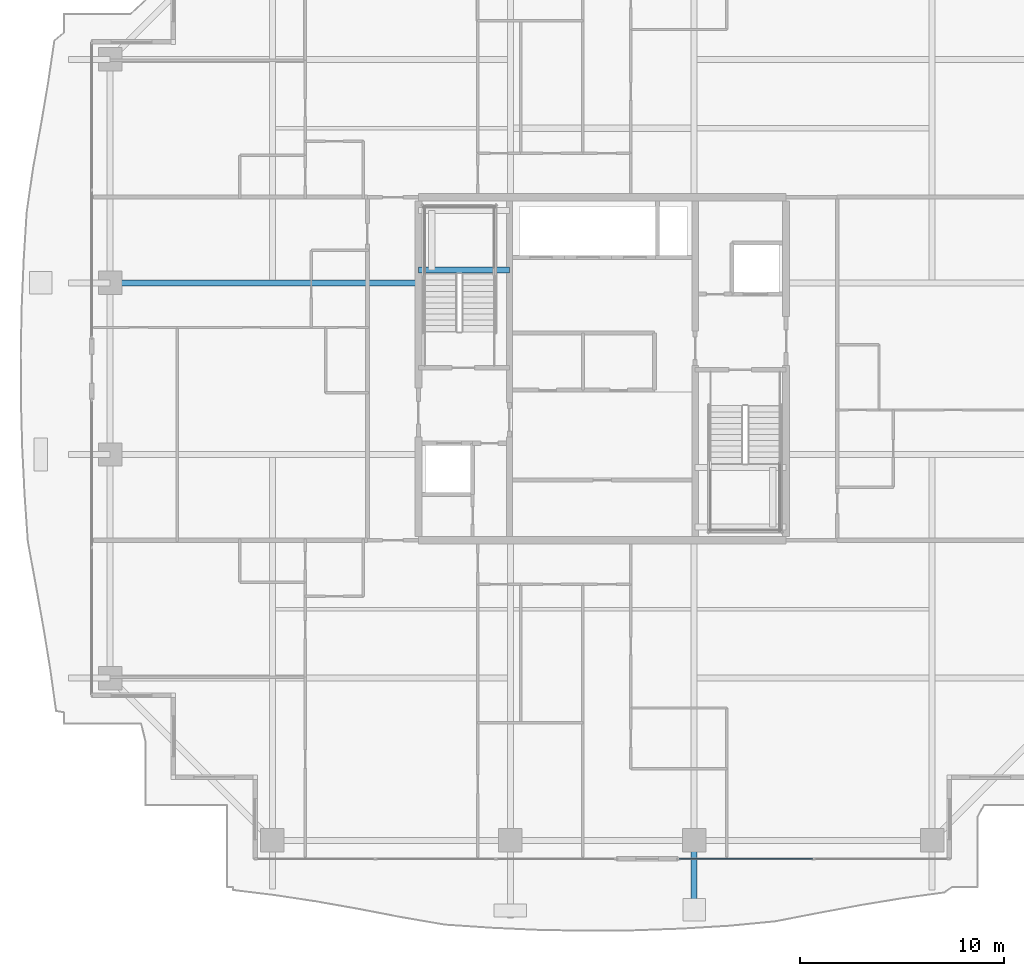
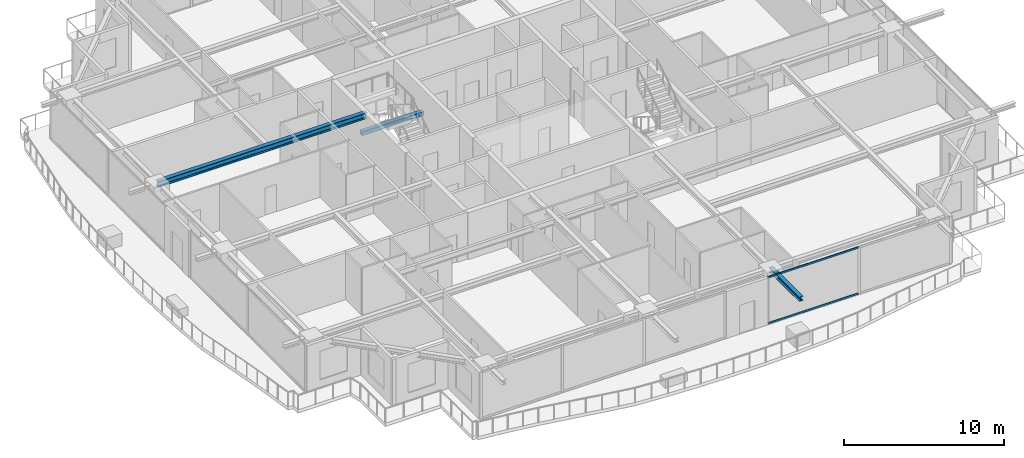
# One storey, part 11 of 36: 3 beams, 2 members, 1 element without a shape of its own.
"""IFC4 building model written with IfcOpenShell, lengths in metres."""

from ifc_helpers import new_model, si_unit, direction, frame, origin, origin_2d, place, context, subcontext, project, spatial, rectangle, hollow_rectangle, i_section, extrude, source, transform, mapped, material, layer, layer_set, material_profile, profile_set, type_object, element, aggregate, save


model = new_model("IFC4")

# Units and contexts
model_context = context("Model", 3, precision=1e-05, world=origin(), true_north=direction((0.0, 1.0)))
body_context = subcontext(model_context, "Body", "Model", "MODEL_VIEW")
ifc_project = project(units=[si_unit("LENGTHUNIT", "METRE"), si_unit("AREAUNIT", "SQUARE_METRE"), si_unit("VOLUMEUNIT", "CUBIC_METRE"), si_unit("PLANEANGLEUNIT", "RADIAN"), si_unit("MASSUNIT", "GRAM", prefix="KILO")], contexts=[model_context])

# Site, building, storey
site_placement = place(None, origin())
site = spatial("IfcSite", under=ifc_project, at=site_placement, CompositionType="ELEMENT")
building_placement = place(site_placement, origin())
building = spatial("IfcBuilding", under=site, at=building_placement, Name="Serunith Strait Residences", CompositionType="ELEMENT")
storey_placement = place(building_placement, frame((0.0, 0.0, 225.85009765625)))
storey = spatial("IfcBuildingStorey", under=building, at=storey_placement, Name="L56", CompositionType="ELEMENT", Elevation=225.85009765625)

# Beams
ifc_material_1 = material(Name="Steel S355J2", Category="steel")
ifc_material_profile_1 = material_profile(ifc_material_1, i_section(OverallWidth=0.300048828125, OverallDepth=0.449951171875, WebThickness=0.013916015625, FlangeThickness=0.02587890625, FilletRadius=0.027099609375, at=origin_2d()), Name="HEB 450")
ifc_profile_set_1 = profile_set([ifc_material_profile_1], Name="Steel S355J2")
beam_type_1 = type_object("IfcBeamType", Name="BM-HEB450", PredefinedType="BEAM", material=ifc_profile_set_1)
shared_shape_1 = source(origin(), body_context, "Body", "SweptSolid", [
    extrude(i_section(OverallWidth=0.300048828125, OverallDepth=0.449951171875, WebThickness=0.013916015625, FlangeThickness=0.02587890625, FilletRadius=0.027099609375, at=origin_2d()), origin(), (0.0, 0.0, 1.0), 15.099853515625),
])
beam_1_placement = place(storey_placement, frame((23.39990234375, 29.39990234375, 3.36181640625), z_axis=(-1.0, 0.0, 0.0), x_axis=(0.0, -1.0, 0.0)))
element("IfcBeam", 1, at=beam_1_placement, inside=storey, type_object=beam_type_1, Name="L56 Primary Floor Girder TC-W3", PredefinedType="BEAM", context=body_context, shape_type="MappedRepresentation", body=[
    mapped(shared_shape_1, transform((0.0, 0.0, 0.0), scale=1.0)),
])
ifc_material_profile_2 = material_profile(ifc_material_1, i_section(OverallWidth=0.300048828125, OverallDepth=0.320068359375, WebThickness=0.011474609375, FlangeThickness=0.0205078125, FilletRadius=0.027099609375, at=origin_2d()), Name="HEB 320")
ifc_profile_set_2 = profile_set([ifc_material_profile_2], Name="Steel S355J2")
beam_type_2 = type_object("IfcBeamType", Name="BM-HEB320", PredefinedType="BEAM", material=ifc_profile_set_2)
shared_shape_2 = source(origin(), body_context, "Body", "SweptSolid", [
    extrude(i_section(OverallWidth=0.300048828125, OverallDepth=0.320068359375, WebThickness=0.011474609375, FlangeThickness=0.0205078125, FilletRadius=0.027099609375, at=origin_2d()), origin(), (0.0, 0.0, 1.0), 3.800048828125),
])
beam_2_placement = place(storey_placement, frame((36.89990234375, 2.10009765625, 3.39697265625), z_axis=(0.0, -1.0, 0.0), x_axis=(1.0, 0.0, 0.0)))
element("IfcBeam", 2, at=beam_2_placement, inside=storey, type_object=beam_type_2, Name="L57 Cantilevered Balcony Rib TC-S3", PredefinedType="BEAM", context=body_context, shape_type="MappedRepresentation", body=[
    mapped(shared_shape_2, transform((0.0, 0.0, 0.0), scale=1.0)),
])
ifc_material_2 = material(Name="Concrete C60/75", Category="concrete")
ifc_material_profile_3 = material_profile(ifc_material_2, rectangle(XDim=0.300048828125, YDim=0.300048828125, at=origin_2d()), Name="RC 300x300")
ifc_profile_set_3 = profile_set([ifc_material_profile_3], Name="Concrete C60/75")
beam_type_3 = type_object("IfcBeamType", Name="BM-LAND-300x300", PredefinedType="BEAM", material=ifc_profile_set_3)
shared_shape_3 = source(origin(), body_context, "Body", "SweptSolid", [
    extrude(rectangle(XDim=0.300048828125, YDim=0.300048828125, at=origin_2d()), origin(), (0.0, 0.0, 1.0), 4.4501953125),
])
beam_3_placement = place(storey_placement, frame((23.39990234375, 30.030029296875, 1.574951171875), z_axis=(1.0, 0.0, 0.0), x_axis=(0.0, 1.0, 0.0)))
element("IfcBeam", 3, at=beam_3_placement, inside=storey, type_object=beam_type_3, Name="L56 ST-1 Landing Support Beam 1", PredefinedType="BEAM", context=body_context, shape_type="MappedRepresentation", body=[
    mapped(shared_shape_3, transform((0.0, 0.0, 0.0), scale=1.0)),
])

# Curtain wall, members
ifc_material_3 = material(Name="Pale-Champagne Anodised Aluminium", Category="aluminium")
ifc_layer = layer(ifc_material_3, 0.199951171875, Name="Pale-Champagne Anodised Aluminium")
ifc_layer_set = layer_set([ifc_layer], Name="Pale-Champagne Anodised Aluminium")
curtain_wall_type = type_object("IfcCurtainWallType", Name="CW-SYS4", PredefinedType="NOTDEFINED", material=ifc_layer_set)
curtain_wall_placement = place(storey_placement, origin())
curtain_wall = element("IfcCurtainWall", 4, at=curtain_wall_placement, inside=storey, type_object=curtain_wall_type, Name="L56 S Unitised Fritted Curtain Wall", PredefinedType="NOTDEFINED")
ifc_material_profile_4 = material_profile(ifc_material_3, hollow_rectangle(XDim=0.06005859375, YDim=0.139892578125, WallThickness=0.00341796875, InnerFilletRadius=0.00537109375, OuterFilletRadius=0.0087890625, at=origin_2d()), Name="ALU 140x60x3.5")
ifc_profile_set_4 = profile_set([ifc_material_profile_4], Name="Pale-Champagne Anodised Aluminium")
member_type = type_object("IfcMemberType", Name="CW-SYS4-TRAN", PredefinedType="USERDEFINED", material=ifc_profile_set_4)
shared_shape_4 = source(origin(), body_context, "Body", "SweptSolid", [
    extrude(hollow_rectangle(XDim=0.06005859375, YDim=0.139892578125, WallThickness=0.00341796875, InnerFilletRadius=0.00537109375, OuterFilletRadius=0.0087890625, at=origin_2d()), origin(), (0.0, 0.0, 1.0), 6.552490234375),
])
member_1_placement = place(storey_placement, frame((36.1650390625, 1.199951171875, 0.02978515625), z_axis=(1.0, 0.0, 0.0), x_axis=(0.0, 1.0, 0.0)))
member_1 = element("IfcMember", 5, at=member_1_placement, type_object=member_type, Name="CW-4 transom 1.1", ObjectType="TRANSOM", PredefinedType="USERDEFINED", context=body_context, shape_type="MappedRepresentation", body=[
    mapped(shared_shape_4, transform((0.0, 0.0, 0.0), scale=1.0)),
])
member_2_placement = place(storey_placement, frame((36.1650390625, 1.199951171875, 3.544921875), z_axis=(1.0, 0.0, 0.0), x_axis=(0.0, 1.0, 0.0)))
member_2 = element("IfcMember", 6, at=member_2_placement, type_object=member_type, Name="CW-4 transom 1.2", ObjectType="TRANSOM", PredefinedType="USERDEFINED", context=body_context, shape_type="MappedRepresentation", body=[
    mapped(shared_shape_4, transform((0.0, 0.0, 0.0), scale=1.0)),
])
aggregate(curtain_wall, [member_1, member_2])

save(model, "model.ifc")
